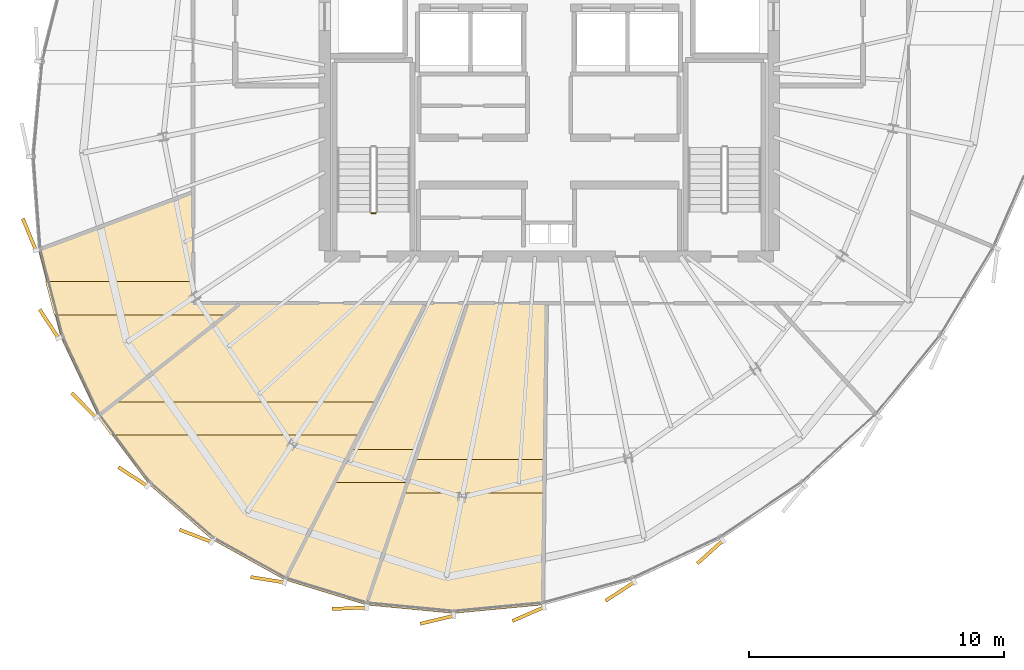
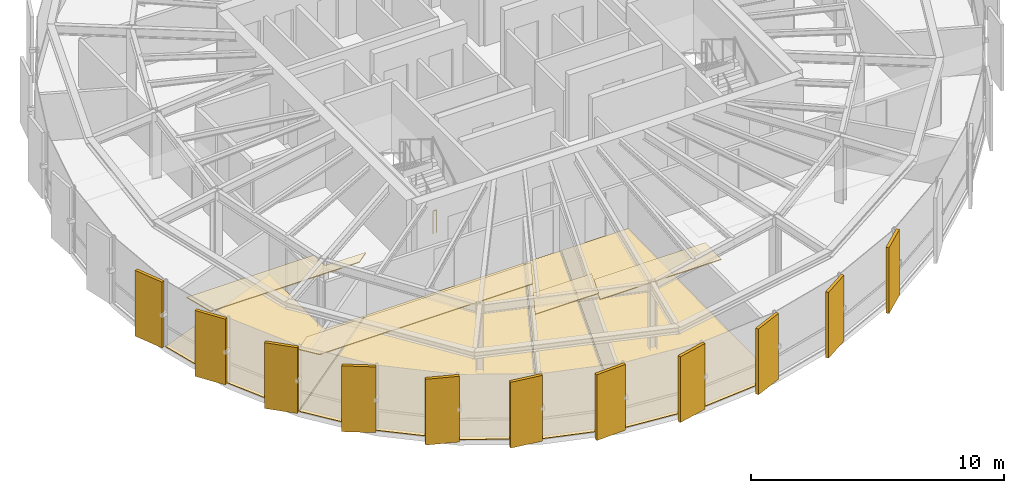
# One storey, part 30 of 33: 19 coverings, 1 railing.
"""IFC4 building model written with IfcOpenShell, lengths in metres."""

from ifc_helpers import new_model, si_unit, direction, frame, origin, origin_2d, place, context, subcontext, project, spatial, polyline, rectangle, circle, outline, extrude, source, transform, mapped, material, layer, layer_set, type_object, element, save


model = new_model("IFC4")

# Units and contexts
model_context = context("Model", 3, precision=1e-05, world=origin(), true_north=direction((0.0, 1.0)))
body_context = subcontext(model_context, "Body", "Model", "MODEL_VIEW")
ifc_project = project(units=[si_unit("LENGTHUNIT", "METRE"), si_unit("AREAUNIT", "SQUARE_METRE"), si_unit("VOLUMEUNIT", "CUBIC_METRE"), si_unit("PLANEANGLEUNIT", "RADIAN"), si_unit("MASSUNIT", "GRAM", prefix="KILO"), si_unit("THERMODYNAMICTEMPERATUREUNIT", "KELVIN")], contexts=[model_context])

# Site, building, storey
site_placement = place(None, origin())
site = spatial("IfcSite", under=ifc_project, at=site_placement, CompositionType="ELEMENT")
building_placement = place(site_placement, origin())
building = spatial("IfcBuilding", under=site, at=building_placement, Name="Kethvar Cultural Tower", CompositionType="ELEMENT")
storey_placement = place(building_placement, frame((0.0, 0.0, 256.0)))
storey = spatial("IfcBuildingStorey", under=building, at=storey_placement, Name="L67", CompositionType="ELEMENT", Elevation=256.0)

# Coverings
ifc_material_1 = material(Name="Acoustic Mineral Fibre Ceiling")
ifc_layer_1 = layer(ifc_material_1, 0.0400390625, Name="Acoustic Mineral Fibre Ceiling")
ifc_layer_set_1 = layer_set([ifc_layer_1], Name="Acoustic Mineral Fibre Ceiling (40 mm)")
covering_type_1 = type_object("IfcCoveringType", Name="CV-ACOUSTIC-CEIL", PredefinedType="CEILING", material=ifc_layer_set_1)
covering_1_placement = place(storey_placement, frame((0.0, 0.0, 3.0)))
element("IfcCovering", 1, at=covering_1_placement, inside=storey, type_object=covering_type_1, Name="L67 Room 01 Acoustic Ceiling Panel", PredefinedType="CEILING", context=body_context, shape_type="SweptSolid", body=[
    extrude(outline(polyline([(27.062744140625, 19.126220703125), (32.8701171875, 19.126220703125), (32.8701171875, 18.2890625), (34.74560546875, 18.266845703125), (34.184326171875, 17.816162109375), (27.39892578125, 17.816162109375), (27.062744140625, 19.126220703125)])), origin(), (0.0, 0.0, 1.0), 0.0400390625),
])
covering_2_placement = place(storey_placement, frame((0.0, 0.0, 3.0)))
element("IfcCovering", 2, at=covering_2_placement, inside=storey, type_object=covering_type_1, Name="L67 Room 02 Acoustic Ceiling Panel", PredefinedType="CEILING", context=body_context, shape_type="SweptSolid", body=[
    extrude(outline(polyline([(29.09228515625, 13.822998046875), (29.800048828125, 14.40625), (40.034912109375, 14.40625), (39.370849609375, 13.09619140625), (29.635986328125, 13.09619140625), (29.09228515625, 13.822998046875)])), origin(), (0.0, 0.0, 1.0), 0.0400390625),
])
covering_3_placement = place(storey_placement, frame((0.0, 0.0, 3.0)))
element("IfcCovering", 3, at=covering_3_placement, inside=storey, type_object=covering_type_1, Name="L67 Room 03 Acoustic Ceiling Panel", PredefinedType="CEILING", context=body_context, shape_type="SweptSolid", body=[
    extrude(outline(polyline([(39.04638671875, 12.544677734375), (41.720703125, 12.544677734375), (41.28271484375, 11.234619140625), (38.382568359375, 11.234619140625), (39.04638671875, 12.544677734375)])), origin(), (0.0, 0.0, 1.0), 0.0400390625),
])
covering_4_placement = place(storey_placement, frame((0.0, 0.0, 3.0)))
element("IfcCovering", 4, at=covering_4_placement, inside=storey, type_object=covering_type_1, Name="L67 Room 04 Acoustic Ceiling Panel", PredefinedType="CEILING", context=body_context, shape_type="SweptSolid", body=[
    extrude(outline(polyline([(41.54638671875, 12.14892578125), (46.662353515625, 12.14892578125), (46.649169921875, 10.8388671875), (41.1083984375, 10.8388671875), (41.54638671875, 12.14892578125)])), origin(), (0.0, 0.0, 1.0), 0.0400390625),
])
ifc_material_2 = material(Name="Architectural Oak Timber", Category="wood")
ifc_layer_2 = layer(ifc_material_2, 0.02490234375, Name="Architectural Oak Timber", Category="wood")
ifc_layer_set_2 = layer_set([ifc_layer_2], Name="Architectural Oak Timber (25 mm)")
covering_type_2 = type_object("IfcCoveringType", Name="CV-OAK-FLOOR", PredefinedType="FLOORING", material=ifc_layer_set_2)
covering_5_placement = place(storey_placement, origin())
element("IfcCovering", 5, at=covering_5_placement, inside=storey, type_object=covering_type_2, Name="L67 Room 01 Floor Finish", PredefinedType="FLOORING", context=body_context, shape_type="SweptSolid", body=[
    extrude(outline(polyline([(27.66552734375, 16.938720703125), (26.790771484375, 20.346435546875), (32.830078125, 22.589599609375), (32.83154296875, 18.26123046875), (34.668212890625, 18.2490234375), (29.11572265625, 13.8662109375), (27.66552734375, 16.938720703125)])), origin(), (0.0, 0.0, 1.0), 0.02490234375),
])
covering_6_placement = place(storey_placement, origin())
element("IfcCovering", 6, at=covering_6_placement, inside=storey, type_object=covering_type_2, Name="L67 Room 02 Floor Finish", PredefinedType="FLOORING", context=body_context, shape_type="SweptSolid", body=[
    extrude(outline(polyline([(33.595458984375, 9.01171875), (31.12255859375, 11.176025390625), (29.135986328125, 13.831298828125), (34.732666015625, 18.2490234375), (41.937255859375, 18.2490234375), (36.452880859375, 7.42724609375), (33.595458984375, 9.01171875)])), origin(), (0.0, 0.0, 1.0), 0.02490234375),
])
covering_7_placement = place(storey_placement, origin())
element("IfcCovering", 7, at=covering_7_placement, inside=storey, type_object=covering_type_2, Name="L67 Room 03 Floor Finish", PredefinedType="FLOORING", context=body_context, shape_type="SweptSolid", body=[
    extrude(outline(polyline([(36.489990234375, 7.411865234375), (41.982177734375, 18.2490234375), (43.585693359375, 18.2490234375), (39.640380859375, 6.448486328125), (36.489990234375, 7.411865234375)])), origin(), (0.0, 0.0, 1.0), 0.02490234375),
])
covering_8_placement = place(storey_placement, origin())
element("IfcCovering", 8, at=covering_8_placement, inside=storey, type_object=covering_type_2, Name="L67 Room 04 Floor Finish", PredefinedType="FLOORING", context=body_context, shape_type="SweptSolid", body=[
    extrude(outline(polyline([(43.062255859375, 6.11767578125), (39.68017578125, 6.44140625), (43.6279296875, 18.2490234375), (46.683837890625, 18.2490234375), (46.56494140625, 6.44873046875), (43.062255859375, 6.11767578125)])), origin(), (0.0, 0.0, 1.0), 0.02490234375),
])

# Railing
ifc_material_3 = material(Name="Steel S355J2", Category="steel")
railing_type = type_object("IfcRailingType", Name="RL-STAIR-GUARD", PredefinedType="BALUSTRADE", material=ifc_material_3)
railing_placement = place(storey_placement, frame((40.0, 21.800048828125, 0.0)))
element("IfcRailing", 9, at=railing_placement, inside=storey, type_object=railing_type, Name="L67 ST-01 stair guard 4", PredefinedType="BALUSTRADE", context=body_context, shape_type="SweptSolid", body=[
    extrude(circle(Radius=0.02392578125, at=origin_2d()), frame((0.0, 0.0, 1.09619140625), z_axis=(-1.0, 0.0, 0.0), x_axis=(0.0, -1.0, 0.0)), (0.0, 0.0, 1.0), 0.159912109375),
    extrude(circle(Radius=0.02099609375, at=origin_2d()), origin(), (0.0, 0.0, 1.0), 1.072021484375),
    extrude(circle(Radius=0.02099609375, at=origin_2d()), frame((-0.159912109375, 0.0, 0.0)), (0.0, 0.0, 1.0), 1.072021484375),
])

# Coverings
ifc_material_4 = material(Name="Extruded Architectural Terracotta", Category="masonry")
ifc_layer_3 = layer(ifc_material_4, 0.135009765625, Name="Extruded Architectural Terracotta", Category="masonry")
ifc_layer_set_3 = layer_set([ifc_layer_3], Name="Extruded Architectural Terracotta (135 mm)")
covering_type_3 = type_object("IfcCoveringType", Name="Terracotta Facade Fin FIN-03", PredefinedType="CLADDING", material=ifc_layer_set_3)
shared_shape = source(origin(), body_context, "Body", "SweptSolid", [
    extrude(rectangle(XDim=1.35009765625, YDim=0.135009765625, at=origin_2d()), origin(), (0.0, 0.0, 1.0), 3.169921875),
])
for number, where, z_axis, x_axis, name in (
    (10, (26.43212890625, 20.963134765625, 0.02001953125), (0.0, 0.0, 1.0), (-0.38107037635, 0.924546033612, 0.0), "L67 Vertical Terracotta Fin 3.3"),
    (11, (27.2041015625, 17.4619140625, 0.02001953125), (0.0, 0.0, 1.0), (-0.548585115048, 0.83609471446, 0.0), "L67 Vertical Terracotta Fin 3.4"),
    (12, (28.568603515625, 14.265869140625, 0.02001953125), (0.0, 0.0, 1.0), (-0.704634209964, 0.709570736537, 0.0), "L67 Vertical Terracotta Fin 3.5"),
    (13, (30.490234375, 11.4716796875, 0.02001953125), (0.0, 0.0, 1.0), (-0.836859868525, 0.54741717223, 0.0), "L67 Vertical Terracotta Fin 3.6"),
    (14, (32.9462890625, 9.14990234375, 0.02001953125), (0.0, 0.0, 1.0), (-0.933517865272, 0.358530884609, 0.0), "L67 Vertical Terracotta Fin 4.1"),
    (15, (35.771484375, 7.4287109375, 0.02001953125), (0.0, 0.0, 1.0), (-0.987688340595, 0.15643446504, 0.0), "L67 Vertical Terracotta Fin 4.2"),
    (16, (38.97119140625, 6.314208984375, 0.02001953125), (0.0, 0.0, 1.0), (-0.999025245578, -0.044142481788, 0.0), "L67 Vertical Terracotta Fin 4.3"),
    (17, (42.4130859375, 5.861572265625, 0.02001953125), (0.0, 0.0, 1.0), (-0.972775878209, -0.231747903494, 0.0), "L67 Vertical Terracotta Fin 4.4"),
    (18, (45.987548828125, 6.083740234375, 0.02001953125), (0.0, 0.0, 1.0), (-0.916642002579, -0.399709193175, 0.0), "L67 Vertical Terracotta Fin 4.5"),
    (19, (49.58203125, 6.972412109375, 0.02001953125), (0.0, 0.0, 1.0), (-0.838290133822, -0.545224404752, 0.0), "L67 Vertical Terracotta Fin 4.6"),
    (20, (53.11474609375, 8.51708984375, 0.02001953125), (0.0, 0.0, 1.0), (-0.743378350842, -0.668871159118, 0.0), "L67 Vertical Terracotta Fin 5.1"),
):
    element("IfcCovering", number, at=place(storey_placement, frame(where, z_axis=z_axis, x_axis=x_axis)), inside=storey, type_object=covering_type_3, Name=name, PredefinedType="CLADDING", context=body_context, shape_type="MappedRepresentation", body=[
        mapped(shared_shape, transform((0.0, 0.0, 0.0), scale=1.0)),
    ])

save(model, "model.ifc")
